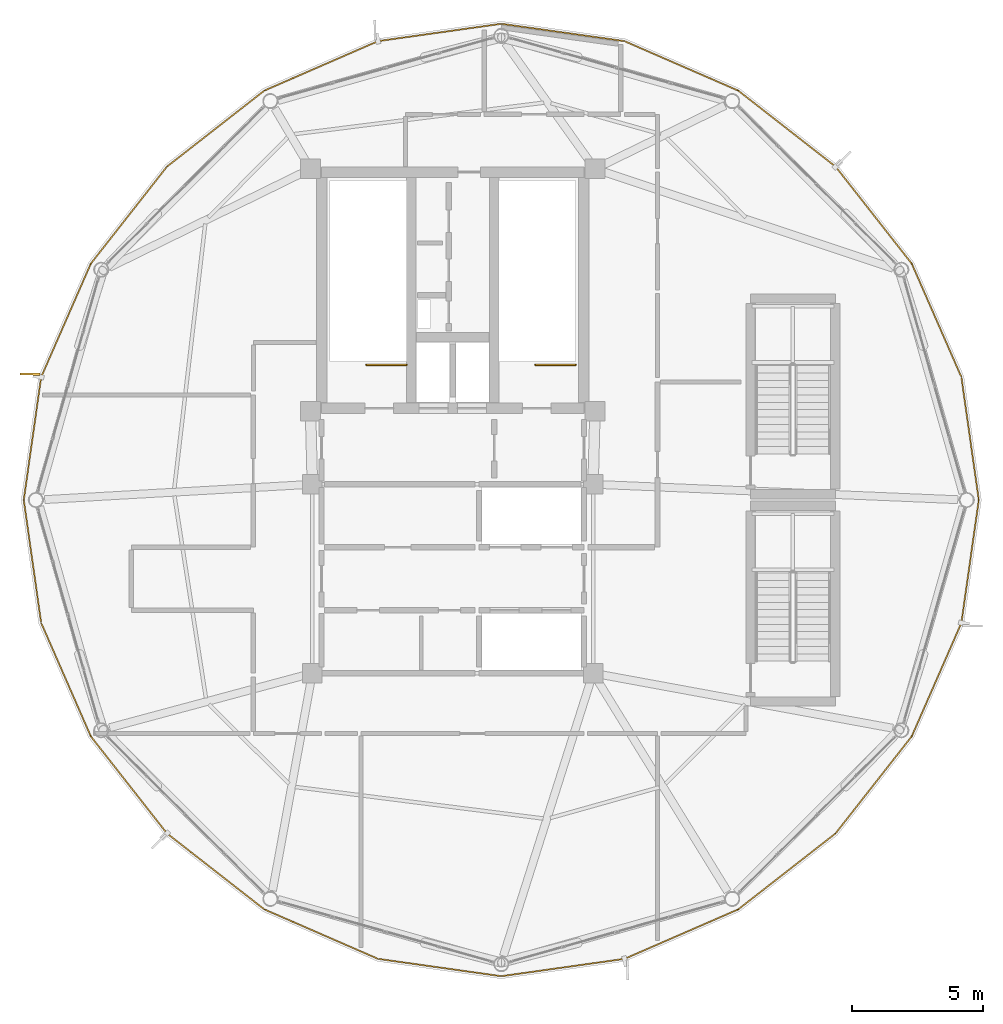
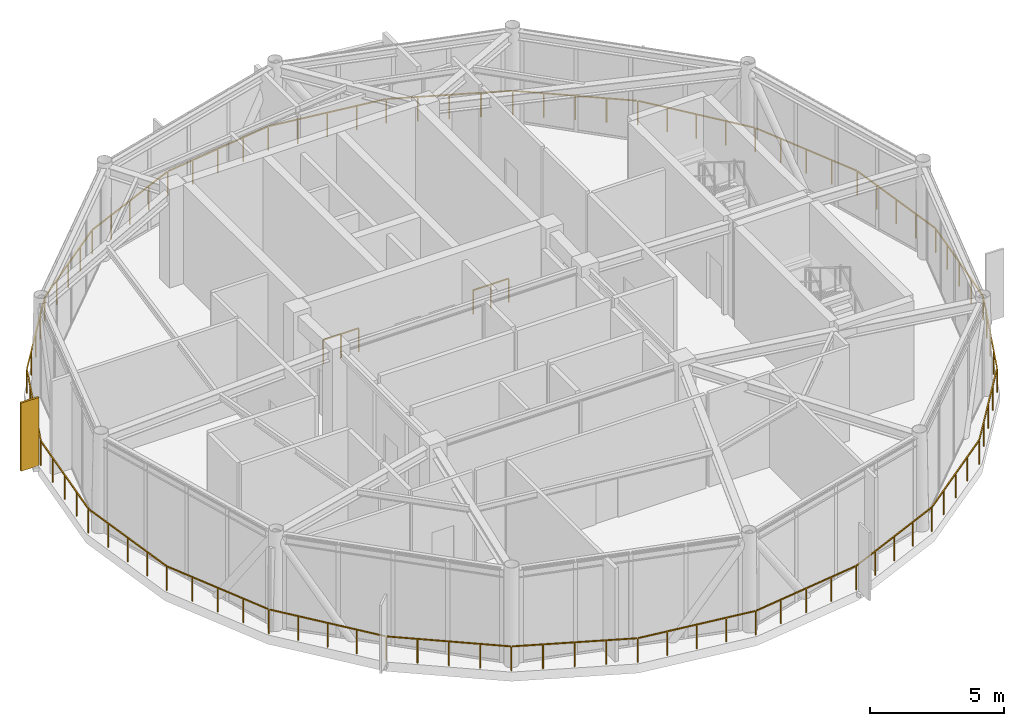
# One storey, part 25 of 26: 3 railings, 1 shading device.
"""IFC4 building model written with IfcOpenShell, lengths in metres."""

from ifc_helpers import new_model, si_unit, direction, frame, origin, origin_2d, place, context, subcontext, project, spatial, rectangle, extrude, source, transform, mapped, material, type_object, type_shapes, element, save


model = new_model("IFC4")

# Units and contexts
model_context = context("Model", 3, precision=1e-05, world=origin(), true_north=direction((0.0, 1.0)))
body_context = subcontext(model_context, "Body", "Model", "MODEL_VIEW")
ifc_project = project(units=[si_unit("LENGTHUNIT", "METRE"), si_unit("AREAUNIT", "SQUARE_METRE"), si_unit("VOLUMEUNIT", "CUBIC_METRE"), si_unit("PLANEANGLEUNIT", "RADIAN"), si_unit("MASSUNIT", "GRAM", prefix="KILO")], contexts=[model_context])

# Site, building, storey
site_placement = place(None, origin())
site = spatial("IfcSite", under=ifc_project, at=site_placement, CompositionType="ELEMENT")
building_placement = place(site_placement, origin())
building = spatial("IfcBuilding", under=site, at=building_placement, Name="Varnakorn Sky Granary", CompositionType="ELEMENT")
storey_placement = place(building_placement, frame((0.0, 0.0, 289.5)))
storey = spatial("IfcBuildingStorey", under=building, at=storey_placement, Name="L74", CompositionType="ELEMENT", Elevation=289.5)

# Railings
ifc_material_1 = material(Name="Anodised Bronze Aluminium Alloy 6063-T6", Category="aluminium")
railing_type_1 = type_object("IfcRailingType", Name="RL-BAL-1120", PredefinedType="BALUSTRADE", material=ifc_material_1)
railing_placement = place(storey_placement, frame((23.049072265625, 0.0, 0.0)))
element("IfcRailing", 1, at=railing_placement, inside=storey, type_object=railing_type_1, Name="Perimeter Slab-Edge Safety Guard L74", PredefinedType="BALUSTRADE", context=body_context, shape_type="SweptSolid", body=[
    extrude(rectangle(XDim=0.048095703125, YDim=0.048095703125, at=origin_2d()), frame((-0.00390625, -0.02783203125, 1.09619140625), z_axis=(-0.140164100275, -0.99012828714, 0.0), x_axis=(0.99012828714, -0.140164100275, 0.0)), (0.0, 0.0, 1.0), 4.6748046875),
    extrude(rectangle(XDim=0.048095703125, YDim=0.048095703125, at=origin_2d()), frame((-0.67431640625, -4.709716796875, 1.09619140625), z_axis=(-0.400878561194, -0.916131201944, 0.0), x_axis=(0.916131201944, -0.400878561194, 0.0)), (0.0, 0.0, 1.0), 4.661376953125),
    extrude(rectangle(XDim=0.048095703125, YDim=0.048095703125, at=origin_2d()), frame((-2.571533203125, -9.02783203125, 1.09619140625), z_axis=(-0.617266595486, -0.786754059473, 0.0), x_axis=(0.786754059473, -0.617266595486, 0.0)), (0.0, 0.0, 1.0), 4.647216796875),
    extrude(rectangle(XDim=0.048095703125, YDim=0.048095703125, at=origin_2d()), frame((-5.479248046875, -12.723388671875, 1.09619140625), z_axis=(-0.788382050622, -0.615185941205, 0.0), x_axis=(0.615185941205, -0.788382050622, 0.0)), (0.0, 0.0, 1.0), 4.650634765625),
    extrude(rectangle(XDim=0.048095703125, YDim=0.048095703125, at=origin_2d()), frame((-9.193603515625, -15.61279296875, 1.09619140625), z_axis=(-0.916934500335, -0.399037745202, 0.0), x_axis=(0.399037745202, -0.916934500335, 0.0)), (0.0, 0.0, 1.0), 4.67041015625),
    extrude(rectangle(XDim=0.048095703125, YDim=0.048095703125, at=origin_2d()), frame((-13.529541015625, -17.491455078125, 1.09619140625), z_axis=(-0.990232610966, -0.139425163363, 0.0), x_axis=(0.139425163363, -0.990232610966, 0.0)), (0.0, 0.0, 1.0), 4.6875),
    extrude(rectangle(XDim=0.048095703125, YDim=0.048095703125, at=origin_2d()), frame((-18.226806640625, -18.14501953125, 1.09619140625), z_axis=(-0.990233611384, 0.139418057962, 0.0), x_axis=(-0.139418057962, -0.990233611384, 0.0)), (0.0, 0.0, 1.0), 4.687744140625),
    extrude(rectangle(XDim=0.048095703125, YDim=0.048095703125, at=origin_2d()), frame((-22.922119140625, -17.476318359375, 1.09619140625), z_axis=(-0.916926274607, 0.399056646273, 0.0), x_axis=(-0.399056646273, -0.916926274607, 0.0)), (0.0, 0.0, 1.0), 4.670166015625),
    extrude(rectangle(XDim=0.048095703125, YDim=0.048095703125, at=origin_2d()), frame((-27.251953125, -15.584228515625, 1.09619140625), z_axis=(-0.788382050622, 0.615185941205, 0.0), x_axis=(-0.615185941205, -0.788382050622, 0.0)), (0.0, 0.0, 1.0), 4.650634765625),
    extrude(rectangle(XDim=0.048095703125, YDim=0.048095703125, at=origin_2d()), frame((-30.9580078125, -12.68408203125, 1.09619140625), z_axis=(-0.617298725544, 0.786728850012, 0.0), x_axis=(-0.786728850012, -0.617298725544, 0.0)), (0.0, 0.0, 1.0), 4.647216796875),
    extrude(rectangle(XDim=0.048095703125, YDim=0.048095703125, at=origin_2d()), frame((-33.855224609375, -8.980224609375, 1.09619140625), z_axis=(-0.400835123756, 0.91615020797, 0.0), x_axis=(-0.91615020797, -0.400835123756, 0.0)), (0.0, 0.0, 1.0), 4.661376953125),
    extrude(rectangle(XDim=0.048095703125, YDim=0.048095703125, at=origin_2d()), frame((-35.73876953125, -4.65625, 1.09619140625), z_axis=(-0.140214692671, 0.990121123883, 0.0), x_axis=(-0.990121123883, -0.140214692671, 0.0)), (0.0, 0.0, 1.0), 4.6748046875),
    extrude(rectangle(XDim=0.048095703125, YDim=0.048095703125, at=origin_2d()), frame((-36.394287109375, 0.02783203125, 1.09619140625), z_axis=(0.140214692671, 0.990121123883, 0.0), x_axis=(-0.990121123883, 0.140214692671, 0.0)), (0.0, 0.0, 1.0), 4.6748046875),
    extrude(rectangle(XDim=0.048095703125, YDim=0.048095703125, at=origin_2d()), frame((-35.7236328125, 4.709716796875, 1.09619140625), z_axis=(0.400835123756, 0.91615020797, 0.0), x_axis=(-0.91615020797, 0.400835123756, 0.0)), (0.0, 0.0, 1.0), 4.661376953125),
    extrude(rectangle(XDim=0.048095703125, YDim=0.048095703125, at=origin_2d()), frame((-33.82666015625, 9.02783203125, 1.09619140625), z_axis=(0.617298725544, 0.786728850012, 0.0), x_axis=(-0.786728850012, 0.617298725544, 0.0)), (0.0, 0.0, 1.0), 4.647216796875),
    extrude(rectangle(XDim=0.048095703125, YDim=0.048095703125, at=origin_2d()), frame((-30.918701171875, 12.723388671875, 1.09619140625), z_axis=(0.788382050622, 0.615185941205, 0.0), x_axis=(-0.615185941205, 0.788382050622, 0.0)), (0.0, 0.0, 1.0), 4.650634765625),
    extrude(rectangle(XDim=0.048095703125, YDim=0.048095703125, at=origin_2d()), frame((-27.204345703125, 15.61279296875, 1.09619140625), z_axis=(0.916926274607, 0.399056646273, 0.0), x_axis=(-0.399056646273, 0.916926274607, 0.0)), (0.0, 0.0, 1.0), 4.670166015625),
    extrude(rectangle(XDim=0.048095703125, YDim=0.048095703125, at=origin_2d()), frame((-22.86865234375, 17.491455078125, 1.09619140625), z_axis=(0.990233611384, 0.139418057962, 0.0), x_axis=(-0.139418057962, 0.990233611384, 0.0)), (0.0, 0.0, 1.0), 4.687744140625),
    extrude(rectangle(XDim=0.048095703125, YDim=0.048095703125, at=origin_2d()), frame((-18.171142578125, 18.14501953125, 1.09619140625), z_axis=(0.990232610966, -0.139425163363, 0.0), x_axis=(0.139425163363, 0.990232610966, 0.0)), (0.0, 0.0, 1.0), 4.6875),
    extrude(rectangle(XDim=0.048095703125, YDim=0.048095703125, at=origin_2d()), frame((-13.47607421875, 17.476318359375, 1.09619140625), z_axis=(0.916934500335, -0.399037745202, 0.0), x_axis=(0.399037745202, 0.916934500335, 0.0)), (0.0, 0.0, 1.0), 4.67041015625),
    extrude(rectangle(XDim=0.048095703125, YDim=0.048095703125, at=origin_2d()), frame((-9.14599609375, 15.584228515625, 1.09619140625), z_axis=(0.788382050622, -0.615185941205, 0.0), x_axis=(0.615185941205, 0.788382050622, 0.0)), (0.0, 0.0, 1.0), 4.650634765625),
    extrude(rectangle(XDim=0.048095703125, YDim=0.048095703125, at=origin_2d()), frame((-5.43994140625, 12.68408203125, 1.09619140625), z_axis=(0.617266595486, -0.786754059473, 0.0), x_axis=(0.786754059473, 0.617266595486, 0.0)), (0.0, 0.0, 1.0), 4.647216796875),
    extrude(rectangle(XDim=0.048095703125, YDim=0.048095703125, at=origin_2d()), frame((-2.54296875, 8.980224609375, 1.09619140625), z_axis=(0.400878561194, -0.916131201944, 0.0), x_axis=(0.916131201944, 0.400878561194, 0.0)), (0.0, 0.0, 1.0), 4.661376953125),
    extrude(rectangle(XDim=0.048095703125, YDim=0.048095703125, at=origin_2d()), frame((-0.6591796875, 4.65625, 1.09619140625), z_axis=(0.140164100275, -0.99012828714, 0.0), x_axis=(0.99012828714, 0.140164100275, 0.0)), (0.0, 0.0, 1.0), 4.6748046875),
    extrude(rectangle(XDim=0.0419921875, YDim=0.0419921875, at=origin_2d()), origin(), (0.0, 0.0, 1.0), 1.068115234375),
    extrude(rectangle(XDim=0.0419921875, YDim=0.0419921875, at=origin_2d()), frame((-0.165771484375, -1.1708984375, 0.0)), (0.0, 0.0, 1.0), 1.068115234375),
    extrude(rectangle(XDim=0.0419921875, YDim=0.0419921875, at=origin_2d()), frame((-0.33154296875, -2.342041015625, 0.0)), (0.0, 0.0, 1.0), 1.068115234375),
    extrude(rectangle(XDim=0.0419921875, YDim=0.0419921875, at=origin_2d()), frame((-0.497314453125, -3.51318359375, 0.0)), (0.0, 0.0, 1.0), 1.068115234375),
    extrude(rectangle(XDim=0.0419921875, YDim=0.0419921875, at=origin_2d()), frame((-0.6630859375, -4.68408203125, 0.0)), (0.0, 0.0, 1.0), 1.068115234375),
    extrude(rectangle(XDim=0.0419921875, YDim=0.0419921875, at=origin_2d()), frame((-1.1357421875, -5.7646484375, 0.0)), (0.0, 0.0, 1.0), 1.068115234375),
    extrude(rectangle(XDim=0.0419921875, YDim=0.0419921875, at=origin_2d()), frame((-1.608642578125, -6.844970703125, 0.0)), (0.0, 0.0, 1.0), 1.068115234375),
    extrude(rectangle(XDim=0.0419921875, YDim=0.0419921875, at=origin_2d()), frame((-2.08154296875, -7.92529296875, 0.0)), (0.0, 0.0, 1.0), 1.068115234375),
    extrude(rectangle(XDim=0.0419921875, YDim=0.0419921875, at=origin_2d()), frame((-2.55419921875, -9.005859375, 0.0)), (0.0, 0.0, 1.0), 1.068115234375),
    extrude(rectangle(XDim=0.0419921875, YDim=0.0419921875, at=origin_2d()), frame((-3.280029296875, -9.930908203125, 0.0)), (0.0, 0.0, 1.0), 1.068115234375),
    extrude(rectangle(XDim=0.0419921875, YDim=0.0419921875, at=origin_2d()), frame((-4.005859375, -10.85595703125, 0.0)), (0.0, 0.0, 1.0), 1.068115234375),
    extrude(rectangle(XDim=0.0419921875, YDim=0.0419921875, at=origin_2d()), frame((-4.7314453125, -11.781005859375, 0.0)), (0.0, 0.0, 1.0), 1.068115234375),
    extrude(rectangle(XDim=0.0419921875, YDim=0.0419921875, at=origin_2d()), frame((-5.457275390625, -12.7060546875, 0.0)), (0.0, 0.0, 1.0), 1.068115234375),
    extrude(rectangle(XDim=0.0419921875, YDim=0.0419921875, at=origin_2d()), frame((-6.385009765625, -13.429931640625, 0.0)), (0.0, 0.0, 1.0), 1.068115234375),
    extrude(rectangle(XDim=0.0419921875, YDim=0.0419921875, at=origin_2d()), frame((-7.3125, -14.15380859375, 0.0)), (0.0, 0.0, 1.0), 1.068115234375),
    extrude(rectangle(XDim=0.0419921875, YDim=0.0419921875, at=origin_2d()), frame((-8.240234375, -14.877685546875, 0.0)), (0.0, 0.0, 1.0), 1.068115234375),
    extrude(rectangle(XDim=0.0419921875, YDim=0.0419921875, at=origin_2d()), frame((-9.16796875, -15.6015625, 0.0)), (0.0, 0.0, 1.0), 1.068115234375),
    extrude(rectangle(XDim=0.0419921875, YDim=0.0419921875, at=origin_2d()), frame((-10.25146484375, -16.072998046875, 0.0)), (0.0, 0.0, 1.0), 1.068115234375),
    extrude(rectangle(XDim=0.0419921875, YDim=0.0419921875, at=origin_2d()), frame((-11.3349609375, -16.54443359375, 0.0)), (0.0, 0.0, 1.0), 1.068115234375),
    extrude(rectangle(XDim=0.0419921875, YDim=0.0419921875, at=origin_2d()), frame((-12.418212890625, -17.01611328125, 0.0)), (0.0, 0.0, 1.0), 1.068115234375),
    extrude(rectangle(XDim=0.0419921875, YDim=0.0419921875, at=origin_2d()), frame((-13.501708984375, -17.487548828125, 0.0)), (0.0, 0.0, 1.0), 1.068115234375),
    extrude(rectangle(XDim=0.0419921875, YDim=0.0419921875, at=origin_2d()), frame((-14.676025390625, -17.65283203125, 0.0)), (0.0, 0.0, 1.0), 1.068115234375),
    extrude(rectangle(XDim=0.0419921875, YDim=0.0419921875, at=origin_2d()), frame((-15.850341796875, -17.818359375, 0.0)), (0.0, 0.0, 1.0), 1.068115234375),
    extrude(rectangle(XDim=0.0419921875, YDim=0.0419921875, at=origin_2d()), frame((-17.024658203125, -17.983642578125, 0.0)), (0.0, 0.0, 1.0), 1.068115234375),
    extrude(rectangle(XDim=0.0419921875, YDim=0.0419921875, at=origin_2d()), frame((-18.198974609375, -18.14892578125, 0.0)), (0.0, 0.0, 1.0), 1.068115234375),
    extrude(rectangle(XDim=0.0419921875, YDim=0.0419921875, at=origin_2d()), frame((-19.373291015625, -17.983642578125, 0.0)), (0.0, 0.0, 1.0), 1.068115234375),
    extrude(rectangle(XDim=0.0419921875, YDim=0.0419921875, at=origin_2d()), frame((-20.5478515625, -17.818359375, 0.0)), (0.0, 0.0, 1.0), 1.068115234375),
    extrude(rectangle(XDim=0.0419921875, YDim=0.0419921875, at=origin_2d()), frame((-21.72216796875, -17.65283203125, 0.0)), (0.0, 0.0, 1.0), 1.068115234375),
    extrude(rectangle(XDim=0.0419921875, YDim=0.0419921875, at=origin_2d()), frame((-22.896484375, -17.487548828125, 0.0)), (0.0, 0.0, 1.0), 1.068115234375),
    extrude(rectangle(XDim=0.0419921875, YDim=0.0419921875, at=origin_2d()), frame((-23.97998046875, -17.01611328125, 0.0)), (0.0, 0.0, 1.0), 1.068115234375),
    extrude(rectangle(XDim=0.0419921875, YDim=0.0419921875, at=origin_2d()), frame((-25.063232421875, -16.54443359375, 0.0)), (0.0, 0.0, 1.0), 1.068115234375),
    extrude(rectangle(XDim=0.0419921875, YDim=0.0419921875, at=origin_2d()), frame((-26.146484375, -16.072998046875, 0.0)), (0.0, 0.0, 1.0), 1.068115234375),
    extrude(rectangle(XDim=0.0419921875, YDim=0.0419921875, at=origin_2d()), frame((-27.22998046875, -15.6015625, 0.0)), (0.0, 0.0, 1.0), 1.068115234375),
    extrude(rectangle(XDim=0.0419921875, YDim=0.0419921875, at=origin_2d()), frame((-28.15771484375, -14.877685546875, 0.0)), (0.0, 0.0, 1.0), 1.068115234375),
    extrude(rectangle(XDim=0.0419921875, YDim=0.0419921875, at=origin_2d()), frame((-29.08544921875, -14.15380859375, 0.0)), (0.0, 0.0, 1.0), 1.068115234375),
    extrude(rectangle(XDim=0.0419921875, YDim=0.0419921875, at=origin_2d()), frame((-30.012939453125, -13.429931640625, 0.0)), (0.0, 0.0, 1.0), 1.068115234375),
    extrude(rectangle(XDim=0.0419921875, YDim=0.0419921875, at=origin_2d()), frame((-30.940673828125, -12.7060546875, 0.0)), (0.0, 0.0, 1.0), 1.068115234375),
    extrude(rectangle(XDim=0.0419921875, YDim=0.0419921875, at=origin_2d()), frame((-31.66650390625, -11.781005859375, 0.0)), (0.0, 0.0, 1.0), 1.068115234375),
    extrude(rectangle(XDim=0.0419921875, YDim=0.0419921875, at=origin_2d()), frame((-32.392333984375, -10.85595703125, 0.0)), (0.0, 0.0, 1.0), 1.068115234375),
    extrude(rectangle(XDim=0.0419921875, YDim=0.0419921875, at=origin_2d()), frame((-33.1181640625, -9.930908203125, 0.0)), (0.0, 0.0, 1.0), 1.068115234375),
    extrude(rectangle(XDim=0.0419921875, YDim=0.0419921875, at=origin_2d()), frame((-33.843994140625, -9.005859375, 0.0)), (0.0, 0.0, 1.0), 1.068115234375),
    extrude(rectangle(XDim=0.0419921875, YDim=0.0419921875, at=origin_2d()), frame((-34.316650390625, -7.92529296875, 0.0)), (0.0, 0.0, 1.0), 1.068115234375),
    extrude(rectangle(XDim=0.0419921875, YDim=0.0419921875, at=origin_2d()), frame((-34.78955078125, -6.844970703125, 0.0)), (0.0, 0.0, 1.0), 1.068115234375),
    extrude(rectangle(XDim=0.0419921875, YDim=0.0419921875, at=origin_2d()), frame((-35.26220703125, -5.7646484375, 0.0)), (0.0, 0.0, 1.0), 1.068115234375),
    extrude(rectangle(XDim=0.0419921875, YDim=0.0419921875, at=origin_2d()), frame((-35.73486328125, -4.68408203125, 0.0)), (0.0, 0.0, 1.0), 1.068115234375),
    extrude(rectangle(XDim=0.0419921875, YDim=0.0419921875, at=origin_2d()), frame((-35.900634765625, -3.51318359375, 0.0)), (0.0, 0.0, 1.0), 1.068115234375),
    extrude(rectangle(XDim=0.0419921875, YDim=0.0419921875, at=origin_2d()), frame((-36.06640625, -2.342041015625, 0.0)), (0.0, 0.0, 1.0), 1.068115234375),
    extrude(rectangle(XDim=0.0419921875, YDim=0.0419921875, at=origin_2d()), frame((-36.232421875, -1.1708984375, 0.0)), (0.0, 0.0, 1.0), 1.068115234375),
    extrude(rectangle(XDim=0.0419921875, YDim=0.0419921875, at=origin_2d()), frame((-36.398193359375, 0.0, 0.0)), (0.0, 0.0, 1.0), 1.068115234375),
    extrude(rectangle(XDim=0.0419921875, YDim=0.0419921875, at=origin_2d()), frame((-36.232421875, 1.1708984375, 0.0)), (0.0, 0.0, 1.0), 1.068115234375),
    extrude(rectangle(XDim=0.0419921875, YDim=0.0419921875, at=origin_2d()), frame((-36.06640625, 2.342041015625, 0.0)), (0.0, 0.0, 1.0), 1.068115234375),
    extrude(rectangle(XDim=0.0419921875, YDim=0.0419921875, at=origin_2d()), frame((-35.900634765625, 3.51318359375, 0.0)), (0.0, 0.0, 1.0), 1.068115234375),
    extrude(rectangle(XDim=0.0419921875, YDim=0.0419921875, at=origin_2d()), frame((-35.73486328125, 4.68408203125, 0.0)), (0.0, 0.0, 1.0), 1.068115234375),
    extrude(rectangle(XDim=0.0419921875, YDim=0.0419921875, at=origin_2d()), frame((-35.26220703125, 5.7646484375, 0.0)), (0.0, 0.0, 1.0), 1.068115234375),
    extrude(rectangle(XDim=0.0419921875, YDim=0.0419921875, at=origin_2d()), frame((-34.78955078125, 6.844970703125, 0.0)), (0.0, 0.0, 1.0), 1.068115234375),
    extrude(rectangle(XDim=0.0419921875, YDim=0.0419921875, at=origin_2d()), frame((-34.316650390625, 7.92529296875, 0.0)), (0.0, 0.0, 1.0), 1.068115234375),
    extrude(rectangle(XDim=0.0419921875, YDim=0.0419921875, at=origin_2d()), frame((-33.843994140625, 9.005859375, 0.0)), (0.0, 0.0, 1.0), 1.068115234375),
    extrude(rectangle(XDim=0.0419921875, YDim=0.0419921875, at=origin_2d()), frame((-33.1181640625, 9.930908203125, 0.0)), (0.0, 0.0, 1.0), 1.068115234375),
    extrude(rectangle(XDim=0.0419921875, YDim=0.0419921875, at=origin_2d()), frame((-32.392333984375, 10.85595703125, 0.0)), (0.0, 0.0, 1.0), 1.068115234375),
    extrude(rectangle(XDim=0.0419921875, YDim=0.0419921875, at=origin_2d()), frame((-31.66650390625, 11.781005859375, 0.0)), (0.0, 0.0, 1.0), 1.068115234375),
    extrude(rectangle(XDim=0.0419921875, YDim=0.0419921875, at=origin_2d()), frame((-30.940673828125, 12.7060546875, 0.0)), (0.0, 0.0, 1.0), 1.068115234375),
    extrude(rectangle(XDim=0.0419921875, YDim=0.0419921875, at=origin_2d()), frame((-30.012939453125, 13.429931640625, 0.0)), (0.0, 0.0, 1.0), 1.068115234375),
    extrude(rectangle(XDim=0.0419921875, YDim=0.0419921875, at=origin_2d()), frame((-29.08544921875, 14.15380859375, 0.0)), (0.0, 0.0, 1.0), 1.068115234375),
    extrude(rectangle(XDim=0.0419921875, YDim=0.0419921875, at=origin_2d()), frame((-28.15771484375, 14.877685546875, 0.0)), (0.0, 0.0, 1.0), 1.068115234375),
    extrude(rectangle(XDim=0.0419921875, YDim=0.0419921875, at=origin_2d()), frame((-27.22998046875, 15.6015625, 0.0)), (0.0, 0.0, 1.0), 1.068115234375),
    extrude(rectangle(XDim=0.0419921875, YDim=0.0419921875, at=origin_2d()), frame((-26.146484375, 16.072998046875, 0.0)), (0.0, 0.0, 1.0), 1.068115234375),
    extrude(rectangle(XDim=0.0419921875, YDim=0.0419921875, at=origin_2d()), frame((-25.063232421875, 16.54443359375, 0.0)), (0.0, 0.0, 1.0), 1.068115234375),
    extrude(rectangle(XDim=0.0419921875, YDim=0.0419921875, at=origin_2d()), frame((-23.97998046875, 17.01611328125, 0.0)), (0.0, 0.0, 1.0), 1.068115234375),
    extrude(rectangle(XDim=0.0419921875, YDim=0.0419921875, at=origin_2d()), frame((-22.896484375, 17.487548828125, 0.0)), (0.0, 0.0, 1.0), 1.068115234375),
    extrude(rectangle(XDim=0.0419921875, YDim=0.0419921875, at=origin_2d()), frame((-21.72216796875, 17.65283203125, 0.0)), (0.0, 0.0, 1.0), 1.068115234375),
    extrude(rectangle(XDim=0.0419921875, YDim=0.0419921875, at=origin_2d()), frame((-20.5478515625, 17.818359375, 0.0)), (0.0, 0.0, 1.0), 1.068115234375),
    extrude(rectangle(XDim=0.0419921875, YDim=0.0419921875, at=origin_2d()), frame((-19.373291015625, 17.983642578125, 0.0)), (0.0, 0.0, 1.0), 1.068115234375),
    extrude(rectangle(XDim=0.0419921875, YDim=0.0419921875, at=origin_2d()), frame((-18.198974609375, 18.14892578125, 0.0)), (0.0, 0.0, 1.0), 1.068115234375),
    extrude(rectangle(XDim=0.0419921875, YDim=0.0419921875, at=origin_2d()), frame((-17.024658203125, 17.983642578125, 0.0)), (0.0, 0.0, 1.0), 1.068115234375),
    extrude(rectangle(XDim=0.0419921875, YDim=0.0419921875, at=origin_2d()), frame((-15.850341796875, 17.818359375, 0.0)), (0.0, 0.0, 1.0), 1.068115234375),
    extrude(rectangle(XDim=0.0419921875, YDim=0.0419921875, at=origin_2d()), frame((-14.676025390625, 17.65283203125, 0.0)), (0.0, 0.0, 1.0), 1.068115234375),
    extrude(rectangle(XDim=0.0419921875, YDim=0.0419921875, at=origin_2d()), frame((-13.501708984375, 17.487548828125, 0.0)), (0.0, 0.0, 1.0), 1.068115234375),
    extrude(rectangle(XDim=0.0419921875, YDim=0.0419921875, at=origin_2d()), frame((-12.418212890625, 17.01611328125, 0.0)), (0.0, 0.0, 1.0), 1.068115234375),
    extrude(rectangle(XDim=0.0419921875, YDim=0.0419921875, at=origin_2d()), frame((-11.3349609375, 16.54443359375, 0.0)), (0.0, 0.0, 1.0), 1.068115234375),
    extrude(rectangle(XDim=0.0419921875, YDim=0.0419921875, at=origin_2d()), frame((-10.25146484375, 16.072998046875, 0.0)), (0.0, 0.0, 1.0), 1.068115234375),
    extrude(rectangle(XDim=0.0419921875, YDim=0.0419921875, at=origin_2d()), frame((-9.16796875, 15.6015625, 0.0)), (0.0, 0.0, 1.0), 1.068115234375),
    extrude(rectangle(XDim=0.0419921875, YDim=0.0419921875, at=origin_2d()), frame((-8.240234375, 14.877685546875, 0.0)), (0.0, 0.0, 1.0), 1.068115234375),
    extrude(rectangle(XDim=0.0419921875, YDim=0.0419921875, at=origin_2d()), frame((-7.3125, 14.15380859375, 0.0)), (0.0, 0.0, 1.0), 1.068115234375),
    extrude(rectangle(XDim=0.0419921875, YDim=0.0419921875, at=origin_2d()), frame((-6.385009765625, 13.429931640625, 0.0)), (0.0, 0.0, 1.0), 1.068115234375),
    extrude(rectangle(XDim=0.0419921875, YDim=0.0419921875, at=origin_2d()), frame((-5.457275390625, 12.7060546875, 0.0)), (0.0, 0.0, 1.0), 1.068115234375),
    extrude(rectangle(XDim=0.0419921875, YDim=0.0419921875, at=origin_2d()), frame((-4.7314453125, 11.781005859375, 0.0)), (0.0, 0.0, 1.0), 1.068115234375),
    extrude(rectangle(XDim=0.0419921875, YDim=0.0419921875, at=origin_2d()), frame((-4.005859375, 10.85595703125, 0.0)), (0.0, 0.0, 1.0), 1.068115234375),
    extrude(rectangle(XDim=0.0419921875, YDim=0.0419921875, at=origin_2d()), frame((-3.280029296875, 9.930908203125, 0.0)), (0.0, 0.0, 1.0), 1.068115234375),
    extrude(rectangle(XDim=0.0419921875, YDim=0.0419921875, at=origin_2d()), frame((-2.55419921875, 9.005859375, 0.0)), (0.0, 0.0, 1.0), 1.068115234375),
    extrude(rectangle(XDim=0.0419921875, YDim=0.0419921875, at=origin_2d()), frame((-2.08154296875, 7.92529296875, 0.0)), (0.0, 0.0, 1.0), 1.068115234375),
    extrude(rectangle(XDim=0.0419921875, YDim=0.0419921875, at=origin_2d()), frame((-1.608642578125, 6.844970703125, 0.0)), (0.0, 0.0, 1.0), 1.068115234375),
    extrude(rectangle(XDim=0.0419921875, YDim=0.0419921875, at=origin_2d()), frame((-1.1357421875, 5.7646484375, 0.0)), (0.0, 0.0, 1.0), 1.068115234375),
    extrude(rectangle(XDim=0.0419921875, YDim=0.0419921875, at=origin_2d()), frame((-0.6630859375, 4.68408203125, 0.0)), (0.0, 0.0, 1.0), 1.068115234375),
    extrude(rectangle(XDim=0.0419921875, YDim=0.0419921875, at=origin_2d()), frame((-0.497314453125, 3.51318359375, 0.0)), (0.0, 0.0, 1.0), 1.068115234375),
    extrude(rectangle(XDim=0.0419921875, YDim=0.0419921875, at=origin_2d()), frame((-0.33154296875, 2.342041015625, 0.0)), (0.0, 0.0, 1.0), 1.068115234375),
    extrude(rectangle(XDim=0.0419921875, YDim=0.0419921875, at=origin_2d()), frame((-0.165771484375, 1.1708984375, 0.0)), (0.0, 0.0, 1.0), 1.068115234375),
])
ifc_material_2 = material(Name="Brushed Stainless Steel 316", Category="steel")
railing_type_2 = type_object("IfcRailingType", Name="RL-STAIR-1100", PredefinedType="GUARDRAIL", material=ifc_material_2)
for number, where, name in (
    (2, (1.239990234375, 5.14990234375, 0.0), "L74 ST-1 top well guard 1"),
    (3, (7.679931640625, 5.14990234375, 0.0), "L74 ST-2 top well guard 1"),
):
    element("IfcRailing", number, at=place(storey_placement, frame(where)), inside=storey, type_object=railing_type_2, Name=name, PredefinedType="GUARDRAIL", context=body_context, shape_type="SweptSolid", body=[
        extrude(rectangle(XDim=0.048095703125, YDim=0.048095703125, at=origin_2d()), frame((0.0, 0.0, 1.076171875), z_axis=(-1.0, 0.0, 0.0), x_axis=(0.0, -1.0, 0.0)), (0.0, 0.0, 1.0), 1.530029296875),
        extrude(rectangle(XDim=0.0419921875, YDim=0.0419921875, at=origin_2d()), origin(), (0.0, 0.0, 1.0), 1.048095703125),
        extrude(rectangle(XDim=0.0419921875, YDim=0.0419921875, at=origin_2d()), frame((-0.76513671875, 0.0, 0.0)), (0.0, 0.0, 1.0), 1.048095703125),
        extrude(rectangle(XDim=0.0419921875, YDim=0.0419921875, at=origin_2d()), frame((-1.530029296875, 0.0, 0.0)), (0.0, 0.0, 1.0), 1.048095703125),
    ])

# Shading device
shading_device_type = type_object("IfcShadingDeviceType", Name="SH-FIN-03", PredefinedType="USERDEFINED", material=ifc_material_1)
shared_shape = source(origin(), body_context, "Body", "SweptSolid", [
    extrude(rectangle(XDim=0.0849609375, YDim=0.760009765625, at=origin_2d()), origin(), (0.0, 0.0, 1.0), 3.10009765625),
])
type_shapes(shading_device_type, [shared_shape])
shading_device_placement = place(storey_placement, frame((-13.111572265625, 4.79931640625, -0.0400390625), z_axis=(0.0, 0.0, 1.0), x_axis=(-0.019073096081, -0.999818091958, 0.0)))
element("IfcShadingDevice", 4, at=shading_device_placement, inside=storey, type_object=shading_device_type, Name="Bronze Solar-Tracking Vertical Blade FIN L74-06", ObjectType="FIN", PredefinedType="USERDEFINED", context=body_context, shape_type="MappedRepresentation", body=[
    mapped(shared_shape, transform((0.0, 0.0, 0.0), x_axis=(1.0, 0.0, 0.0), y_axis=(0.0, 1.0, 0.0), z_axis=(0.0, 0.0, 1.0), scale=1.0)),
])

save(model, "model.ifc")
